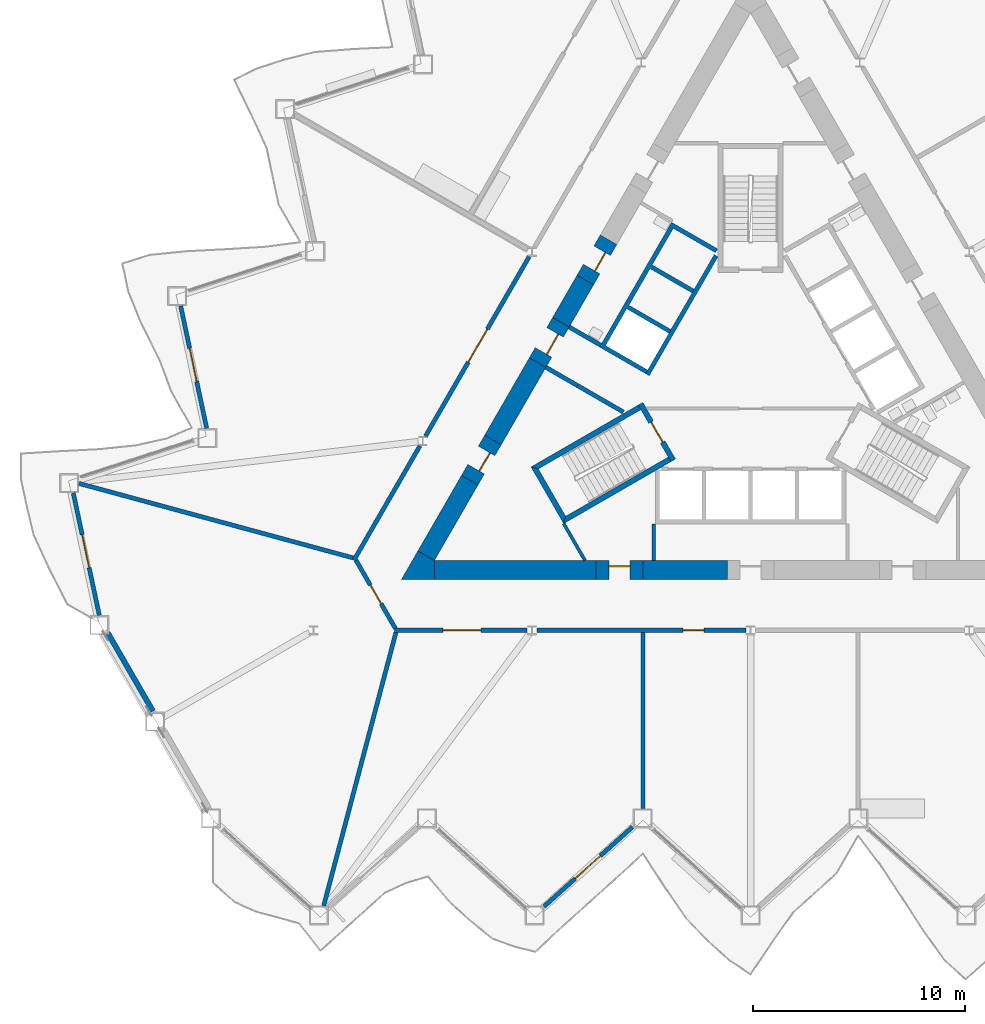
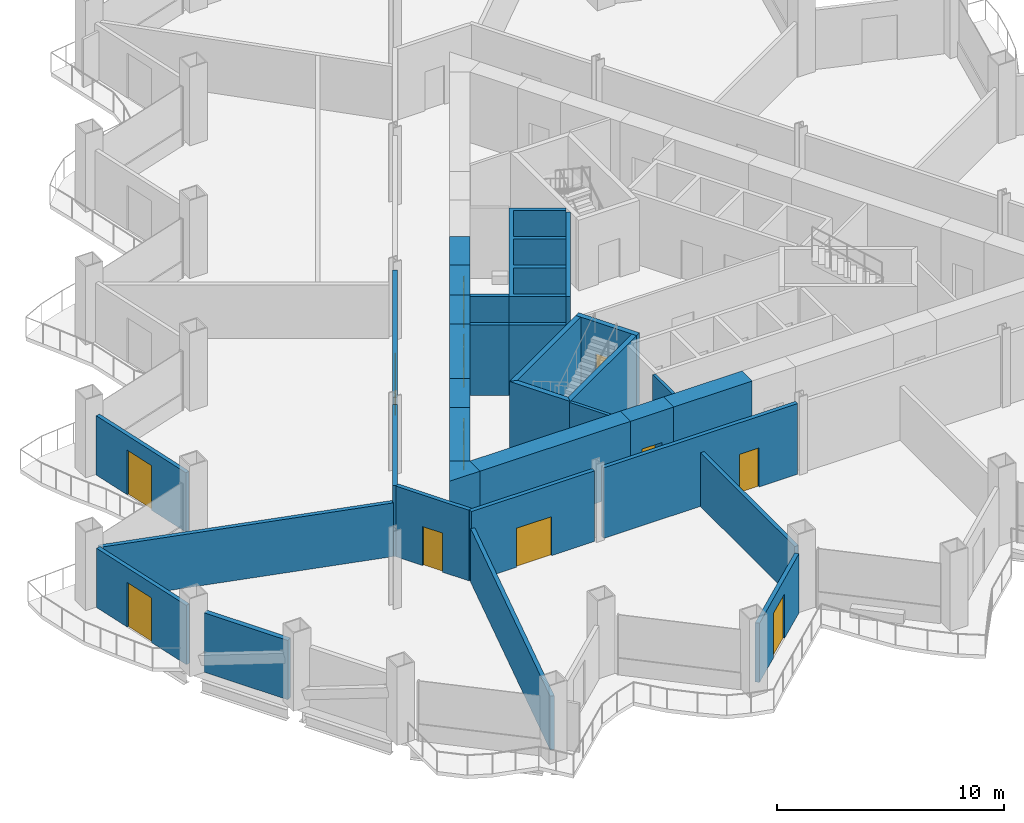
# One storey, part 10 of 21: 33 walls, 12 doors, 12 openings.
"""IFC4 building model written with IfcOpenShell, lengths in metres."""

from ifc_helpers import new_model, si_unit, direction, frame, frame_2d, origin, place, context, subcontext, project, spatial, polyline, rectangle, outline, extrude, material, layer, layer_set, type_object, element, fill, save


model = new_model("IFC4")

# Units and contexts
model_context = context("Model", 3, precision=1e-05, world=origin(), true_north=direction((0.0, 1.0)))
body_context = subcontext(model_context, "Body", "Model", "MODEL_VIEW")
ifc_project = project(units=[si_unit("LENGTHUNIT", "METRE"), si_unit("AREAUNIT", "SQUARE_METRE"), si_unit("VOLUMEUNIT", "CUBIC_METRE"), si_unit("PLANEANGLEUNIT", "RADIAN"), si_unit("MASSUNIT", "GRAM", prefix="KILO")], contexts=[model_context])

# Site, building, storey
site_placement = place(None, origin())
site = spatial("IfcSite", under=ifc_project, at=site_placement, CompositionType="ELEMENT")
building_placement = place(site_placement, origin())
building = spatial("IfcBuilding", under=site, at=building_placement, Name="Cormorant Prow Tower", CompositionType="ELEMENT")
storey_placement = place(building_placement, frame((0.0, 0.0, 150.0)))
storey = spatial("IfcBuildingStorey", under=building, at=storey_placement, Name="L32", CompositionType="ELEMENT", Elevation=150.0)

# Walls
ifc_material_1 = material(Name="Gypsum board partition")
ifc_layer_1 = layer(ifc_material_1, 0.14990234375)
ifc_layer_set_1 = layer_set([ifc_layer_1], Name="Gypsum board partition")
wall_type_1 = type_object("IfcWallType", Name="Core partition 150", PredefinedType="PARTITIONING", material=ifc_layer_set_1)
wall_1_placement = place(storey_placement, frame((-4.574951171875, -6.906005859375, 0.0), z_axis=(0.0, 0.0, 1.0), x_axis=(0.0, -1.0, 0.0)))
element("IfcWall", 1, at=wall_1_placement, inside=storey, type_object=wall_type_1, Name="Service room partition", PredefinedType="PARTITIONING", context=body_context, shape_type="SweptSolid", body=[
    extrude(rectangle(XDim=1.72021484375, YDim=0.14990234375, at=frame_2d((0.860107421875, 0.0))), origin(), (0.0, 0.0, 1.0), 3.800048828125),
])
wall_2_placement = place(storey_placement, frame((-8.82958984375, -6.880615234375, 0.0), z_axis=(0.0, 0.0, 1.0), x_axis=(0.500085890408, -0.865975809255, 0.0)))
element("IfcWall", 2, at=wall_2_placement, inside=storey, type_object=wall_type_1, Name="Service room partition", PredefinedType="PARTITIONING", context=body_context, shape_type="SweptSolid", body=[
    extrude(rectangle(XDim=2.015869140625, YDim=0.14990234375, at=frame_2d((1.0078125, 0.0))), origin(), (0.0, 0.0, 1.0), 3.800048828125),
])
ifc_material_2 = material(Name="Concrete 8000 psi", Category="concrete")
ifc_layer_2 = layer(ifc_material_2, 0.89990234375)
ifc_layer_set_2 = layer_set([ifc_layer_2], Name="Concrete 8000 psi")
wall_type_2 = type_object("IfcWallType", Name="Core shear wall 900", PredefinedType="SHEAR", material=ifc_layer_set_2)
wall_3_placement = place(storey_placement, frame((-14.941162109375, -9.076416015625, 0.0), z_axis=(0.0, 0.0, 1.0), x_axis=(1.0, 0.0, 0.0)))
element("IfcWall", 3, at=wall_3_placement, inside=storey, type_object=wall_type_2, Name="Core wall", PredefinedType="SHEAR", context=body_context, shape_type="SweptSolid", body=[
    extrude(rectangle(XDim=7.648681640625, YDim=0.89990234375, at=frame_2d((3.82421875, 0.0))), origin(), (0.0, 0.0, 1.0), 3.800048828125),
])
wall_4_placement = place(storey_placement, frame((-5.092529296875, -9.076416015625, 0.0), z_axis=(0.0, 0.0, 1.0), x_axis=(1.0, 0.0, 0.0)))
element("IfcWall", 4, at=wall_4_placement, inside=storey, type_object=wall_type_2, Name="Core wall", PredefinedType="SHEAR", context=body_context, shape_type="SweptSolid", body=[
    extrude(rectangle(XDim=3.992431640625, YDim=0.89990234375, at=frame_2d((1.99609375, 0.0))), origin(), (0.0, 0.0, 1.0), 3.800048828125),
])
wall_5_placement = place(storey_placement, frame((-10.060302734375, 0.7275390625, 0.0), z_axis=(0.0, 0.0, 1.0), x_axis=(-0.500021220092, -0.866013152012, 0.0)))
element("IfcWall", 5, at=wall_5_placement, inside=storey, type_object=wall_type_2, Name="Core wall", PredefinedType="SHEAR", context=body_context, shape_type="SweptSolid", body=[
    extrude(rectangle(XDim=4.220458984375, YDim=0.89990234375, at=frame_2d((2.1103515625, 0.0))), origin(), (0.0, 0.0, 1.0), 3.800048828125),
])
wall_6_placement = place(storey_placement, frame((-13.2705078125, -4.832763671875, 0.0), z_axis=(0.0, 0.0, 1.0), x_axis=(-0.499994272862, -0.866028710324, 0.0)))
element("IfcWall", 6, at=wall_6_placement, inside=storey, type_object=wall_type_2, Name="Core wall", PredefinedType="SHEAR", context=body_context, shape_type="SweptSolid", body=[
    extrude(rectangle(XDim=4.12060546875, YDim=0.89990234375, at=frame_2d((2.060302734375, 0.0))), origin(), (0.0, 0.0, 1.0), 3.800048828125),
])
wall_7_placement = place(storey_placement, frame((-7.810302734375, 4.624755859375, 0.0), z_axis=(0.0, 0.0, 1.0), x_axis=(-0.499952165731, -0.866053019151, 0.0)))
element("IfcWall", 7, at=wall_7_placement, inside=storey, type_object=wall_type_2, Name="Core wall", PredefinedType="SHEAR", context=body_context, shape_type="SweptSolid", body=[
    extrude(rectangle(XDim=2.300048828125, YDim=0.89990234375, at=frame_2d((1.14990234375, 0.0))), origin(), (0.0, 0.0, 1.0), 3.800048828125),
])
wall_8_placement = place(storey_placement, origin())
element("IfcWall", 8, at=wall_8_placement, inside=storey, type_object=wall_type_2, Name="Core wall corner", PredefinedType="SHEAR", context=body_context, shape_type="SweptSolid", body=[
    extrude(outline(polyline([(-14.941162109375, -8.626220703125), (-14.941162109375, -9.5263671875), (-16.5, -9.5263671875), (-15.720703125, -8.17626953125), (-14.941162109375, -8.626220703125)])), origin(), (0.0, 0.0, 1.0), 3.800048828125),
])

# Wall, opening, door
wall_9_placement = place(storey_placement, frame((-12.170654296875, -2.927490234375, 0.0), z_axis=(0.0, 0.0, 1.0), x_axis=(-0.499946605688, -0.86605622881, 0.0)))
wall_9 = element("IfcWall", 9, at=wall_9_placement, inside=storey, type_object=wall_type_2, Name="Core wall door panel", PredefinedType="SHEAR", context=body_context, shape_type="SweptSolid", body=[
    extrude(rectangle(XDim=2.199951171875, YDim=0.89990234375, at=frame_2d((1.10009765625, 0.0))), origin(), (0.0, 0.0, 1.0), 3.800048828125),
])
opening_1_placement = place(wall_9_placement, frame((0.60009765625, 0.0, 0.0)))
opening_1 = element("IfcOpeningElement", 10, at=opening_1_placement, cuts=wall_9, Name="Opening L32-C14", PredefinedType="OPENING", context=body_context, shape_type="SweptSolid", body=[
    extrude(rectangle(XDim=1.0, YDim=2.10009765625, at=frame_2d((0.5, 1.050048828125))), frame((0.0, 0.4599609375, 0.0), z_axis=(0.0, -1.0, 0.0), x_axis=(1.0, 0.0, 0.0)), (0.0, 0.0, 1.0), 0.919921875),
])
ifc_material_3 = material(Name="Painted steel", Category="steel")
door_type_1 = type_object("IfcDoorType", Name="Service door 1000x2100", OperationType="NOTDEFINED", PredefinedType="DOOR", material=ifc_material_3)
door_1_placement = place(opening_1_placement, origin())
door_1 = element("IfcDoor", 11, at=door_1_placement, inside=storey, type_object=door_type_1, Name="Core door, Mechanical riser room", OperationType="SINGLE_SWING_LEFT", OverallHeight=2.10009765625, OverallWidth=1.0, PredefinedType="DOOR", context=body_context, shape_type="SweptSolid", body=[
    extrude(rectangle(XDim=1.0, YDim=2.10009765625, at=frame_2d((0.5, 1.050048828125))), frame((0.0, 0.205078125, 0.0), z_axis=(0.0, -1.0, 0.0), x_axis=(1.0, 0.0, 0.0)), (0.0, 0.0, 1.0), 0.050048828125),
])
fill(opening_1, door_1)

wall_10_placement = place(storey_placement, frame((-6.710205078125, 6.530029296875, 0.0), z_axis=(0.0, 0.0, 1.0), x_axis=(-0.50002983664, -0.866008176907, 0.0)))
wall_10 = element("IfcWall", 12, at=wall_10_placement, inside=storey, type_object=wall_type_2, Name="Core wall door panel", PredefinedType="SHEAR", context=body_context, shape_type="SweptSolid", body=[
    extrude(rectangle(XDim=2.199951171875, YDim=0.89990234375, at=frame_2d((1.10009765625, 0.0))), origin(), (0.0, 0.0, 1.0), 3.800048828125),
])
opening_2_placement = place(wall_10_placement, frame((0.60009765625, 0.0, 0.0)))
opening_2 = element("IfcOpeningElement", 13, at=opening_2_placement, cuts=wall_10, Name="Opening L32-C17", PredefinedType="OPENING", context=body_context, shape_type="SweptSolid", body=[
    extrude(rectangle(XDim=1.0, YDim=2.10009765625, at=frame_2d((0.5, 1.050048828125))), frame((0.0, 0.4599609375, 0.0), z_axis=(0.0, -1.0, 0.0), x_axis=(1.0, 0.0, 0.0)), (0.0, 0.0, 1.0), 0.919921875),
])
door_2_placement = place(opening_2_placement, origin())
door_2 = element("IfcDoor", 14, at=door_2_placement, inside=storey, type_object=door_type_1, Name="Core door, Accessible WC L32", OperationType="SINGLE_SWING_LEFT", OverallHeight=2.10009765625, OverallWidth=1.0, PredefinedType="DOOR", context=body_context, shape_type="SweptSolid", body=[
    extrude(rectangle(XDim=1.0, YDim=2.10009765625, at=frame_2d((0.5, 1.050048828125))), frame((0.0, 0.205078125, 0.0), z_axis=(0.0, -1.0, 0.0), x_axis=(1.0, 0.0, 0.0)), (0.0, 0.0, 1.0), 0.050048828125),
])
fill(opening_2, door_2)

wall_11_placement = place(storey_placement, frame((-7.29248046875, -9.076416015625, 0.0), z_axis=(0.0, 0.0, 1.0), x_axis=(1.0, 0.0, 0.0)))
wall_11 = element("IfcWall", 15, at=wall_11_placement, inside=storey, type_object=wall_type_2, Name="Core wall door panel", PredefinedType="SHEAR", context=body_context, shape_type="SweptSolid", body=[
    extrude(rectangle(XDim=2.199951171875, YDim=0.89990234375, at=frame_2d((1.10009765625, 0.0))), origin(), (0.0, 0.0, 1.0), 3.800048828125),
])
opening_3_placement = place(wall_11_placement, frame((0.60009765625, 0.0, 0.0)))
opening_3 = element("IfcOpeningElement", 16, at=opening_3_placement, cuts=wall_11, Name="Opening L32-C19", PredefinedType="OPENING", context=body_context, shape_type="SweptSolid", body=[
    extrude(rectangle(XDim=1.0, YDim=2.10009765625, at=frame_2d((0.5, 1.050048828125))), frame((0.0, 0.4599609375, 0.0), z_axis=(0.0, -1.0, 0.0), x_axis=(1.0, 0.0, 0.0)), (0.0, 0.0, 1.0), 0.919921875),
])
door_3_placement = place(opening_3_placement, origin())
door_3 = element("IfcDoor", 17, at=door_3_placement, inside=storey, type_object=door_type_1, Name="Core door, Mechanical riser room", OperationType="SINGLE_SWING_RIGHT", OverallHeight=2.10009765625, OverallWidth=1.0, PredefinedType="DOOR", context=body_context, shape_type="SweptSolid", body=[
    extrude(rectangle(XDim=1.0, YDim=2.10009765625, at=frame_2d((0.5, 1.050048828125))), frame((0.0, 0.205078125, 0.0), z_axis=(0.0, -1.0, 0.0), x_axis=(1.0, 0.0, 0.0)), (0.0, 0.0, 1.0), 0.050048828125),
])
fill(opening_3, door_3)

wall_12_placement = place(storey_placement, frame((-8.960205078125, 2.6328125, 0.0), z_axis=(0.0, 0.0, 1.0), x_axis=(-0.50002983664, -0.866008176907, 0.0)))
wall_12 = element("IfcWall", 18, at=wall_12_placement, inside=storey, type_object=wall_type_2, Name="Core wall door panel", PredefinedType="SHEAR", context=body_context, shape_type="SweptSolid", body=[
    extrude(rectangle(XDim=2.199951171875, YDim=0.89990234375, at=frame_2d((1.10009765625, 0.0))), origin(), (0.0, 0.0, 1.0), 3.800048828125),
])
opening_4_placement = place(wall_12_placement, frame((0.550048828125, 0.0, 0.0)))
opening_4 = element("IfcOpeningElement", 19, at=opening_4_placement, cuts=wall_12, Name="Opening L32-C22", PredefinedType="OPENING", context=body_context, shape_type="SweptSolid", body=[
    extrude(rectangle(XDim=1.10009765625, YDim=2.10009765625, at=frame_2d((0.550048828125, 1.050048828125))), frame((0.0, 0.4599609375, 0.0), z_axis=(0.0, -1.0, 0.0), x_axis=(1.0, 0.0, 0.0)), (0.0, 0.0, 1.0), 0.919921875),
])
ifc_material_4 = material(Name="Painted steel", Category="steel")
door_type_2 = type_object("IfcDoorType", Name="Core door 1100x2100", OperationType="NOTDEFINED", PredefinedType="DOOR", material=ifc_material_4)
door_4_placement = place(opening_4_placement, origin())
door_4 = element("IfcDoor", 20, at=door_4_placement, inside=storey, type_object=door_type_2, Name="Core door, lift lobby", OperationType="SINGLE_SWING_LEFT", OverallHeight=2.10009765625, OverallWidth=1.10009765625, PredefinedType="DOOR", context=body_context, shape_type="SweptSolid", body=[
    extrude(rectangle(XDim=1.10009765625, YDim=2.10009765625, at=frame_2d((0.550048828125, 1.050048828125))), frame((0.0, 0.205078125, 0.0), z_axis=(0.0, -1.0, 0.0), x_axis=(1.0, 0.0, 0.0)), (0.0, 0.0, 1.0), 0.050048828125),
])
fill(opening_4, door_4)

ifc_material_5 = material(Name="Gypsum board corridor wall")
ifc_layer_3 = layer(ifc_material_5, 0.199951171875)
ifc_layer_set_3 = layer_set([ifc_layer_3], Name="Gypsum board corridor wall")
wall_type_3 = type_object("IfcWallType", Name="Corridor wall 200", PredefinedType="PARTITIONING", material=ifc_layer_set_3)
wall_13_placement = place(storey_placement, frame((-10.10107421875, -11.92626953125, 0.0), z_axis=(0.0, 0.0, 1.0), x_axis=(1.0, 0.0, 0.0)))
wall_13 = element("IfcWall", 21, at=wall_13_placement, inside=storey, type_object=wall_type_3, Name="Corridor wall", PredefinedType="PARTITIONING", context=body_context, shape_type="SweptSolid", body=[
    extrude(rectangle(XDim=9.873779296875, YDim=0.199951171875, at=frame_2d((4.93701171875, 0.0))), origin(), (0.0, 0.0, 1.0), 3.800048828125),
])
opening_5_placement = place(wall_13_placement, frame((6.90869140625, 0.0, 0.0)))
opening_5 = element("IfcOpeningElement", 22, at=opening_5_placement, cuts=wall_13, Name="Opening L32-F02", PredefinedType="OPENING", context=body_context, shape_type="SweptSolid", body=[
    extrude(rectangle(XDim=1.0, YDim=2.10009765625, at=frame_2d((0.5, 1.050048828125))), frame((0.0, 0.10986328125, 0.0), z_axis=(0.0, -1.0, 0.0), x_axis=(1.0, 0.0, 0.0)), (0.0, 0.0, 1.0), 0.219970703125),
])
ifc_material_6 = material(Name="Timber door leaf", Category="wood")
door_type_3 = type_object("IfcDoorType", Name="Office door 1000x2100", OperationType="NOTDEFINED", PredefinedType="DOOR", material=ifc_material_6)
door_5_placement = place(opening_5_placement, origin())
door_5 = element("IfcDoor", 23, at=door_5_placement, inside=storey, type_object=door_type_3, Name="Tenant suite door", OperationType="SINGLE_SWING_RIGHT", OverallHeight=2.10009765625, OverallWidth=1.0, PredefinedType="DOOR", context=body_context, shape_type="SweptSolid", body=[
    extrude(rectangle(XDim=1.0, YDim=2.10009765625, at=frame_2d((0.5, 1.050048828125))), frame((0.0, 0.02490234375, 0.0), z_axis=(0.0, -1.0, 0.0), x_axis=(1.0, 0.0, 0.0)), (0.0, 0.0, 1.0), 0.050048828125),
])
fill(opening_5, door_5)

wall_14_placement = place(storey_placement, frame((-15.361328125, -2.754150390625, 0.0), z_axis=(0.0, 0.0, 1.0), x_axis=(0.500004141693, 0.866023012564, 0.0)))
wall_14 = element("IfcWall", 24, at=wall_14_placement, inside=storey, type_object=wall_type_3, Name="Corridor wall", PredefinedType="PARTITIONING", context=body_context, shape_type="SweptSolid", body=[
    extrude(rectangle(XDim=9.80322265625, YDim=0.199951171875, at=frame_2d((4.901611328125, 0.0))), origin(), (0.0, 0.0, 1.0), 3.800048828125),
])
opening_6_placement = place(wall_14_placement, frame((4.0517578125, 0.0, 0.0)))
opening_6 = element("IfcOpeningElement", 25, at=opening_6_placement, cuts=wall_14, Name="Opening L32-F11", PredefinedType="OPENING", context=body_context, shape_type="SweptSolid", body=[
    extrude(rectangle(XDim=1.800048828125, YDim=2.10009765625, at=frame_2d((0.89990234375, 1.050048828125))), frame((0.0, 0.10986328125, 0.0), z_axis=(0.0, -1.0, 0.0), x_axis=(1.0, 0.0, 0.0)), (0.0, 0.0, 1.0), 0.219970703125),
])
ifc_material_7 = material(Name="Timber door leaf", Category="wood")
door_type_4 = type_object("IfcDoorType", Name="Double door 1800x2100", OperationType="DOUBLE_DOOR_SINGLE_SWING", PredefinedType="DOOR", material=ifc_material_7)
door_6_placement = place(opening_6_placement, origin())
door_6 = element("IfcDoor", 26, at=door_6_placement, inside=storey, type_object=door_type_4, Name="Open-plan office door", OperationType="DOUBLE_DOOR_SINGLE_SWING", OverallHeight=2.10009765625, OverallWidth=1.800048828125, PredefinedType="DOOR", context=body_context, shape_type="SweptSolid", body=[
    extrude(rectangle(XDim=1.800048828125, YDim=2.10009765625, at=frame_2d((0.89990234375, 1.050048828125))), frame((0.0, 0.02490234375, 0.0), z_axis=(0.0, -1.0, 0.0), x_axis=(1.0, 0.0, 0.0)), (0.0, 0.0, 1.0), 0.050048828125),
])
fill(opening_6, door_6)

wall_15_placement = place(storey_placement, frame((-16.830810546875, -11.92626953125, 0.0), z_axis=(0.0, 0.0, 1.0), x_axis=(1.0, 0.0, 0.0)))
wall_15 = element("IfcWall", 27, at=wall_15_placement, inside=storey, type_object=wall_type_3, Name="Corridor wall", PredefinedType="PARTITIONING", context=body_context, shape_type="SweptSolid", body=[
    extrude(rectangle(XDim=6.27490234375, YDim=0.199951171875, at=frame_2d((3.137451171875, 0.0))), origin(), (0.0, 0.0, 1.0), 3.800048828125),
])
opening_7_placement = place(wall_15_placement, frame((2.28857421875, 0.0, 0.0)))
opening_7 = element("IfcOpeningElement", 28, at=opening_7_placement, cuts=wall_15, Name="Opening L32-F01", PredefinedType="OPENING", context=body_context, shape_type="SweptSolid", body=[
    extrude(rectangle(XDim=1.800048828125, YDim=2.10009765625, at=frame_2d((0.89990234375, 1.050048828125))), frame((0.0, 0.10986328125, 0.0), z_axis=(0.0, -1.0, 0.0), x_axis=(1.0, 0.0, 0.0)), (0.0, 0.0, 1.0), 0.219970703125),
])
door_7_placement = place(opening_7_placement, origin())
door_7 = element("IfcDoor", 29, at=door_7_placement, inside=storey, type_object=door_type_4, Name="Open-plan office door", OperationType="DOUBLE_DOOR_SINGLE_SWING", OverallHeight=2.10009765625, OverallWidth=1.800048828125, PredefinedType="DOOR", context=body_context, shape_type="SweptSolid", body=[
    extrude(rectangle(XDim=1.800048828125, YDim=2.10009765625, at=frame_2d((0.89990234375, 1.050048828125))), frame((0.0, 0.02490234375, 0.0), z_axis=(0.0, -1.0, 0.0), x_axis=(1.0, 0.0, 0.0)), (0.0, 0.0, 1.0), 0.050048828125),
])
fill(opening_7, door_7)

# Wall
wall_16_placement = place(storey_placement, frame((-18.743896484375, -8.61279296875, 0.0), z_axis=(0.0, 0.0, 1.0), x_axis=(0.499997920671, 0.866026604282, 0.0)))
element("IfcWall", 30, at=wall_16_placement, inside=storey, type_object=wall_type_3, Name="Corridor wall", PredefinedType="PARTITIONING", context=body_context, shape_type="SweptSolid", body=[
    extrude(rectangle(XDim=6.23974609375, YDim=0.199951171875, at=frame_2d((3.119873046875, 0.0))), origin(), (0.0, 0.0, 1.0), 3.800048828125),
])

# Wall, opening, door
wall_17_placement = place(storey_placement, frame((-18.643798828125, -8.61279296875, 0.0), z_axis=(0.0, 0.0, 1.0), x_axis=(0.499958791762, -0.866049194065, 0.0)))
wall_17 = element("IfcWall", 31, at=wall_17_placement, inside=storey, type_object=wall_type_3, Name="Corridor wall", PredefinedType="PARTITIONING", context=body_context, shape_type="SweptSolid", body=[
    extrude(rectangle(XDim=3.725830078125, YDim=0.199951171875, at=frame_2d((1.86279296875, 0.0))), origin(), (0.0, 0.0, 1.0), 3.800048828125),
])
opening_8_placement = place(wall_17_placement, frame((1.363037109375, 0.0, 0.0)))
opening_8 = element("IfcOpeningElement", 32, at=opening_8_placement, cuts=wall_17, Name="Opening L32-F12", PredefinedType="OPENING", context=body_context, shape_type="SweptSolid", body=[
    extrude(rectangle(XDim=1.0, YDim=2.10009765625, at=frame_2d((0.5, 1.050048828125))), frame((0.0, 0.10986328125, 0.0), z_axis=(0.0, -1.0, 0.0), x_axis=(1.0, 0.0, 0.0)), (0.0, 0.0, 1.0), 0.219970703125),
])
door_8_placement = place(opening_8_placement, origin())
door_8 = element("IfcDoor", 33, at=door_8_placement, inside=storey, type_object=door_type_3, Name="Tenant suite door", OperationType="SINGLE_SWING_LEFT", OverallHeight=2.10009765625, OverallWidth=1.0, PredefinedType="DOOR", context=body_context, shape_type="SweptSolid", body=[
    extrude(rectangle(XDim=1.0, YDim=2.10009765625, at=frame_2d((0.5, 1.050048828125))), frame((0.0, 0.02490234375, 0.0), z_axis=(0.0, -1.0, 0.0), x_axis=(1.0, 0.0, 0.0)), (0.0, 0.0, 1.0), 0.050048828125),
])
fill(opening_8, door_8)

# Walls
ifc_material_8 = material(Name="Gypsum board demising wall")
ifc_layer_4 = layer(ifc_material_8, 0.199951171875)
ifc_layer_set_4 = layer_set([ifc_layer_4], Name="Gypsum board demising wall")
wall_type_4 = type_object("IfcWallType", Name="Demising wall 200", PredefinedType="PARTITIONING", material=ifc_layer_set_4)
wall_18_placement = place(storey_placement, frame((-31.736083984375, -4.98388671875, 0.0), z_axis=(0.0, 0.0, 1.0), x_axis=(0.965038802525, -0.262107057556, 0.0)))
element("IfcWall", 34, at=wall_18_placement, inside=storey, type_object=wall_type_4, Name="Demising wall", PredefinedType="PARTITIONING", context=body_context, shape_type="SweptSolid", body=[
    extrude(rectangle(XDim=13.414794921875, YDim=0.199951171875, at=frame_2d((6.70751953125, 0.0))), origin(), (0.0, 0.0, 1.0), 2.88525390625),
])
wall_19_placement = place(storey_placement, frame((-20.17041015625, -24.939208984375, 0.0), z_axis=(0.0, 0.0, 1.0), x_axis=(0.25554647156, 0.966796773305, 0.0)))
element("IfcWall", 35, at=wall_19_placement, inside=storey, type_object=wall_type_4, Name="Demising wall", PredefinedType="PARTITIONING", context=body_context, shape_type="SweptSolid", body=[
    extrude(rectangle(XDim=13.35986328125, YDim=0.199951171875, at=frame_2d((6.679931640625, 0.0))), origin(), (0.0, 0.0, 1.0), 2.88525390625),
])
wall_20_placement = place(storey_placement, frame((-5.081298828125, -20.34716796875, 0.0), z_axis=(0.0, 0.0, 1.0), x_axis=(0.0, 1.0, 0.0)))
element("IfcWall", 36, at=wall_20_placement, inside=storey, type_object=wall_type_4, Name="Demising wall", PredefinedType="PARTITIONING", context=body_context, shape_type="SweptSolid", body=[
    extrude(rectangle(XDim=8.32080078125, YDim=0.199951171875, at=frame_2d((4.160400390625, 0.0))), origin(), (0.0, 0.0, 1.0), 2.88525390625),
])
ifc_material_9 = material(Name="Concrete 5000 psi", Category="concrete")
ifc_layer_5 = layer(ifc_material_9, 0.199951171875)
ifc_layer_set_5 = layer_set([ifc_layer_5], Name="Concrete 5000 psi")
wall_type_5 = type_object("IfcWallType", Name="Lift lobby wall 200", PredefinedType="SOLIDWALL", material=ifc_layer_set_5)
wall_21_placement = place(storey_placement, frame((-1.630615234375, 5.775634765625, 0.0), z_axis=(0.0, 0.0, 1.0), x_axis=(-0.499992876559, -0.866029516466, 0.0)))
element("IfcWall", 37, at=wall_21_placement, inside=storey, type_object=wall_type_5, Name="Lift lobby wall, WNW block", PredefinedType="SOLIDWALL", context=body_context, shape_type="SweptSolid", body=[
    extrude(rectangle(XDim=6.486328125, YDim=0.199951171875, at=frame_2d((3.2431640625, 0.0))), origin(), (0.0, 0.0, 1.0), 3.800048828125),
])
ifc_material_10 = material(Name="Concrete 8000 psi", Category="concrete")
ifc_layer_6 = layer(ifc_material_10, 0.199951171875)
ifc_layer_set_6 = layer_set([ifc_layer_6], Name="Concrete 8000 psi")
wall_type_6 = type_object("IfcWallType", Name="Lift shaft wall 200", PredefinedType="SHEAR", material=ifc_layer_set_6)
wall_22_placement = place(storey_placement, origin())
element("IfcWall", 38, at=wall_22_placement, inside=storey, type_object=wall_type_6, Name="Lift shaft walls, WNW block", PredefinedType="SHEAR", context=body_context, shape_type="SweptSolid", body=[
    extrude(outline(polyline([(-6.060546875, -1.697021484375), (-8.230712890625, -0.444091796875), (-8.130859375, -0.27099609375), (-5.96044921875, -1.52392578125), (-6.060546875, -1.697021484375)])), origin(), (0.0, 0.0, 1.0), 3.800048828125),
])
wall_23_placement = place(storey_placement, origin())
element("IfcWall", 39, at=wall_23_placement, inside=storey, type_object=wall_type_6, Name="Lift shaft walls, WNW block", PredefinedType="SHEAR", context=body_context, shape_type="SweptSolid", body=[
    extrude(outline(polyline([(-4.96044921875, 0.2080078125), (-7.130859375, 1.461181640625), (-3.730712890625, 7.35009765625), (-1.560546875, 6.09716796875), (-1.660400390625, 5.923828125), (-3.65234375, 7.073974609375), (-4.65234375, 5.341796875), (-2.660400390625, 4.19189453125), (-2.760498046875, 4.018798828125), (-4.75244140625, 5.168701171875), (-5.75244140625, 3.4365234375), (-3.760498046875, 2.28662109375), (-3.860595703125, 2.11328125), (-5.852294921875, 3.263427734375), (-6.852294921875, 1.53125), (-4.860595703125, 0.38134765625), (-4.96044921875, 0.2080078125)])), origin(), (0.0, 0.0, 1.0), 3.800048828125),
])
for number, where, z_axis, x_axis, name in (
    (40, (-7.080810546875, 1.547607421875, 0.0), (0.0, 0.0, 1.0), (-0.865963414263, 0.500107353632, 0.0), "Lobby passage wall"),
    (41, (-8.180908203125, -0.357421875, 0.0), (0.0, 0.0, 1.0), (-0.866024871741, 0.500000921525, 0.0), "Lobby passage wall"),
):
    element("IfcWall", number, at=place(storey_placement, frame(where, z_axis=z_axis, x_axis=x_axis)), inside=storey, type_object=wall_type_6, Name=name, PredefinedType="SHEAR", context=body_context, shape_type="SweptSolid", body=[
        extrude(rectangle(XDim=1.72021484375, YDim=0.199951171875, at=frame_2d((0.860107421875, 0.0))), origin(), (0.0, 0.0, 1.0), 3.800048828125),
    ])
ifc_material_11 = material(Name="Concrete 8000 psi", Category="concrete")
ifc_layer_7 = layer(ifc_material_11, 0.25)
ifc_layer_set_7 = layer_set([ifc_layer_7], Name="Concrete 8000 psi")
wall_type_7 = type_object("IfcWallType", Name="Stair wall 250", PredefinedType="SHEAR", material=ifc_layer_set_7)
wall_24_placement = place(storey_placement, origin())
element("IfcWall", 42, at=wall_24_placement, inside=storey, type_object=wall_type_7, Name="Stair ST1 enclosure wall (flank)", PredefinedType="SHEAR", context=body_context, shape_type="SweptSolid", body=[
    extrude(outline(polyline([(-5.30712890625, -1.28125), (-10.37353515625, -4.206298828125), (-10.031982421875, -4.2978515625), (-5.18212890625, -1.497802734375), (-5.30712890625, -1.28125)])), origin(), (0.0, 0.0, 1.0), 3.800048828125),
])
wall_25_placement = place(storey_placement, origin())
element("IfcWall", 43, at=wall_25_placement, inside=storey, type_object=wall_type_7, Name="Stair ST1 enclosure wall (end)", PredefinedType="SHEAR", context=body_context, shape_type="SweptSolid", body=[
    extrude(outline(polyline([(-10.37353515625, -4.206298828125), (-8.82958984375, -6.880615234375), (-8.738037109375, -6.5390625), (-10.031982421875, -4.2978515625), (-10.37353515625, -4.206298828125)])), origin(), (0.0, 0.0, 1.0), 3.800048828125),
])
wall_26_placement = place(storey_placement, origin())
element("IfcWall", 44, at=wall_26_placement, inside=storey, type_object=wall_type_7, Name="Stair ST1 enclosure wall (flank)", PredefinedType="SHEAR", context=body_context, shape_type="SweptSolid", body=[
    extrude(outline(polyline([(-8.738037109375, -6.5390625), (-8.82958984375, -6.880615234375), (-3.76318359375, -3.95556640625), (-3.88818359375, -3.739013671875), (-8.738037109375, -6.5390625)])), origin(), (0.0, 0.0, 1.0), 3.800048828125),
])

# Wall, opening, door
wall_27_placement = place(storey_placement, frame((-5.198974609375, -1.21875, 0.0), z_axis=(0.0, 0.0, 1.0), x_axis=(0.499982516597, -0.866035497597, 0.0)))
wall_27 = element("IfcWall", 45, at=wall_27_placement, inside=storey, type_object=wall_type_7, Name="Stair ST1 door wall", PredefinedType="SHEAR", context=body_context, shape_type="SweptSolid", body=[
    extrude(rectangle(XDim=3.087890625, YDim=0.25, at=frame_2d((1.5439453125, 0.0))), origin(), (0.0, 0.0, 1.0), 3.800048828125),
])
opening_9_placement = place(wall_27_placement, frame((0.993896484375, 0.0, 0.0)))
opening_9 = element("IfcOpeningElement", 46, at=opening_9_placement, cuts=wall_27, Name="Opening L32-C09", PredefinedType="OPENING", context=body_context, shape_type="SweptSolid", body=[
    extrude(rectangle(XDim=1.10009765625, YDim=2.10009765625, at=frame_2d((0.550048828125, 1.050048828125))), frame((0.0, 0.135009765625, 0.0), z_axis=(0.0, -1.0, 0.0), x_axis=(1.0, 0.0, 0.0)), (0.0, 0.0, 1.0), 0.27001953125),
])
ifc_material_12 = material(Name="Painted steel", Category="steel")
door_type_5 = type_object("IfcDoorType", Name="Stair door 1100x2100", OperationType="NOTDEFINED", PredefinedType="DOOR", material=ifc_material_12)
door_9_placement = place(opening_9_placement, origin())
door_9 = element("IfcDoor", 47, at=door_9_placement, inside=storey, type_object=door_type_5, Name="Stair ST1 door", OperationType="SINGLE_SWING_LEFT", OverallHeight=2.10009765625, OverallWidth=1.10009765625, PredefinedType="DOOR", context=body_context, shape_type="SweptSolid", body=[
    extrude(rectangle(XDim=1.10009765625, YDim=2.10009765625, at=frame_2d((0.550048828125, 1.050048828125))), frame((0.0, 0.02490234375, 0.0), z_axis=(0.0, -1.0, 0.0), x_axis=(1.0, 0.0, 0.0)), (0.0, 0.0, 1.0), 0.050048828125),
])
fill(opening_9, door_9)

# Wall
ifc_material_13 = material(Name="Terracotta", Category="masonry")
ifc_layer_8 = layer(ifc_material_13, 0.25)
ifc_layer_set_8 = layer_set([ifc_layer_8], Name="Terracotta")
wall_type_8 = type_object("IfcWallType", Name="Terracotta bay wall 250", PredefinedType="SOLIDWALL", material=ifc_layer_set_8)
wall_28_placement = place(storey_placement, frame((-30.378662109375, -12.040771484375, 0.0), z_axis=(0.0, 0.0, 1.0), x_axis=(0.499995966399, -0.866027732573, 0.0)))
element("IfcWall", 48, at=wall_28_placement, inside=storey, type_object=wall_type_8, Name="Terracotta bay wall WSW00", PredefinedType="SOLIDWALL", context=body_context, shape_type="SweptSolid", body=[
    extrude(rectangle(XDim=4.275390625, YDim=0.25, at=frame_2d((2.1376953125, 0.0))), origin(), (0.0, 0.0, 1.0), 3.18896484375),
])

# Wall, opening, door
ifc_material_14 = material(Name="Terracotta", Category="masonry")
ifc_layer_9 = layer(ifc_material_14, 0.199951171875)
ifc_layer_set_9 = layer_set([ifc_layer_9], Name="Terracotta")
wall_type_9 = type_object("IfcWallType", Name="Terracotta jamb wall 200", PredefinedType="SOLIDWALL", material=ifc_layer_set_9)
wall_29_placement = place(storey_placement, frame((-9.757080078125, -24.97705078125, 0.0), z_axis=(0.0, 0.0, 1.0), x_axis=(0.743158172546, 0.66911578264, 0.0)))
wall_29 = element("IfcWall", 49, at=wall_29_placement, inside=storey, type_object=wall_type_9, Name="Terracotta jamb wall S03", PredefinedType="SOLIDWALL", context=body_context, shape_type="SweptSolid", body=[
    extrude(rectangle(XDim=5.625244140625, YDim=0.199951171875, at=frame_2d((2.8125, 0.0))), origin(), (0.0, 0.0, 1.0), 3.18896484375),
])
opening_10_placement = place(wall_29_placement, frame((1.98291015625, 0.0, 0.0)))
opening_10 = element("IfcOpeningElement", 50, at=opening_10_placement, cuts=wall_29, Name="Opening ED32.02", PredefinedType="OPENING", context=body_context, shape_type="SweptSolid", body=[
    extrude(rectangle(XDim=1.60009765625, YDim=2.39990234375, at=frame_2d((0.800048828125, 1.199951171875))), frame((0.0, 0.10986328125, 0.0), z_axis=(0.0, -1.0, 0.0), x_axis=(1.0, 0.0, 0.0)), (0.0, 0.0, 1.0), 0.219970703125),
])
ifc_material_15 = material(Name="Aluminium 6063-T6", Category="aluminium")
door_type_6 = type_object("IfcDoorType", Name="Balcony door 1600x2400", OperationType="DOUBLE_DOOR_SINGLE_SWING", PredefinedType="DOOR", material=ifc_material_15)
door_10_placement = place(opening_10_placement, origin())
door_10 = element("IfcDoor", 51, at=door_10_placement, inside=storey, type_object=door_type_6, Name="Balcony door S03 ED32.02", OperationType="DOUBLE_DOOR_SINGLE_SWING", OverallHeight=2.39990234375, OverallWidth=1.60009765625, PredefinedType="DOOR", context=body_context, shape_type="SweptSolid", body=[
    extrude(rectangle(XDim=1.60009765625, YDim=2.39990234375, at=frame_2d((0.800048828125, 1.199951171875))), frame((0.0, 0.02490234375, 0.0), z_axis=(0.0, -1.0, 0.0), x_axis=(1.0, 0.0, 0.0)), (0.0, 0.0, 1.0), 0.050048828125),
])
fill(opening_10, door_10)

wall_30_placement = place(storey_placement, frame((-26.9287109375, 3.399658203125, 0.0), z_axis=(0.0, 0.0, 1.0), x_axis=(0.207917562075, -0.978146352741, 0.0)))
wall_30 = element("IfcWall", 52, at=wall_30_placement, inside=storey, type_object=wall_type_9, Name="Terracotta jamb wall WNW07", PredefinedType="SOLIDWALL", context=body_context, shape_type="SweptSolid", body=[
    extrude(rectangle(XDim=5.90869140625, YDim=0.199951171875, at=frame_2d((2.954345703125, 0.0))), origin(), (0.0, 0.0, 1.0), 3.18896484375),
])
opening_11_placement = place(wall_30_placement, frame((2.0478515625, 0.0, 0.0)))
opening_11 = element("IfcOpeningElement", 53, at=opening_11_placement, cuts=wall_30, Name="Opening ED32.14", PredefinedType="OPENING", context=body_context, shape_type="SweptSolid", body=[
    extrude(rectangle(XDim=1.60009765625, YDim=2.39990234375, at=frame_2d((0.800048828125, 1.199951171875))), frame((0.0, 0.10986328125, 0.0), z_axis=(0.0, -1.0, 0.0), x_axis=(1.0, 0.0, 0.0)), (0.0, 0.0, 1.0), 0.219970703125),
])
door_11_placement = place(opening_11_placement, origin())
door_11 = element("IfcDoor", 54, at=door_11_placement, inside=storey, type_object=door_type_6, Name="Balcony door WNW07 ED32.14", OperationType="DOUBLE_DOOR_SINGLE_SWING", OverallHeight=2.39990234375, OverallWidth=1.60009765625, PredefinedType="DOOR", context=body_context, shape_type="SweptSolid", body=[
    extrude(rectangle(XDim=1.60009765625, YDim=2.39990234375, at=frame_2d((0.800048828125, 1.199951171875))), frame((0.0, 0.02490234375, 0.0), z_axis=(0.0, -1.0, 0.0), x_axis=(1.0, 0.0, 0.0)), (0.0, 0.0, 1.0), 0.050048828125),
])
fill(opening_11, door_11)

wall_31_placement = place(storey_placement, frame((-32.003173828125, -5.433837890625, 0.0), z_axis=(0.0, 0.0, 1.0), x_axis=(0.207886430801, -0.978152969575, 0.0)))
wall_31 = element("IfcWall", 55, at=wall_31_placement, inside=storey, type_object=wall_type_9, Name="Terracotta jamb wall WNW09", PredefinedType="SOLIDWALL", context=body_context, shape_type="SweptSolid", body=[
    extrude(rectangle(XDim=5.908447265625, YDim=0.199951171875, at=frame_2d((2.9541015625, 0.0))), origin(), (0.0, 0.0, 1.0), 3.18896484375),
])
opening_12_placement = place(wall_31_placement, frame((2.01513671875, 0.0, 0.0)))
opening_12 = element("IfcOpeningElement", 56, at=opening_12_placement, cuts=wall_31, Name="Opening ED32.15", PredefinedType="OPENING", context=body_context, shape_type="SweptSolid", body=[
    extrude(rectangle(XDim=1.60009765625, YDim=2.39990234375, at=frame_2d((0.800048828125, 1.199951171875))), frame((0.0, 0.10986328125, 0.0), z_axis=(0.0, -1.0, 0.0), x_axis=(1.0, 0.0, 0.0)), (0.0, 0.0, 1.0), 0.219970703125),
])
door_12_placement = place(opening_12_placement, origin())
door_12 = element("IfcDoor", 57, at=door_12_placement, inside=storey, type_object=door_type_6, Name="Balcony door WNW09 ED32.15", OperationType="DOUBLE_DOOR_SINGLE_SWING", OverallHeight=2.39990234375, OverallWidth=1.60009765625, PredefinedType="DOOR", context=body_context, shape_type="SweptSolid", body=[
    extrude(rectangle(XDim=1.60009765625, YDim=2.39990234375, at=frame_2d((0.800048828125, 1.199951171875))), frame((0.0, 0.02490234375, 0.0), z_axis=(0.0, -1.0, 0.0), x_axis=(1.0, 0.0, 0.0)), (0.0, 0.0, 1.0), 0.050048828125),
])
fill(opening_12, door_12)

save(model, "model.ifc")
